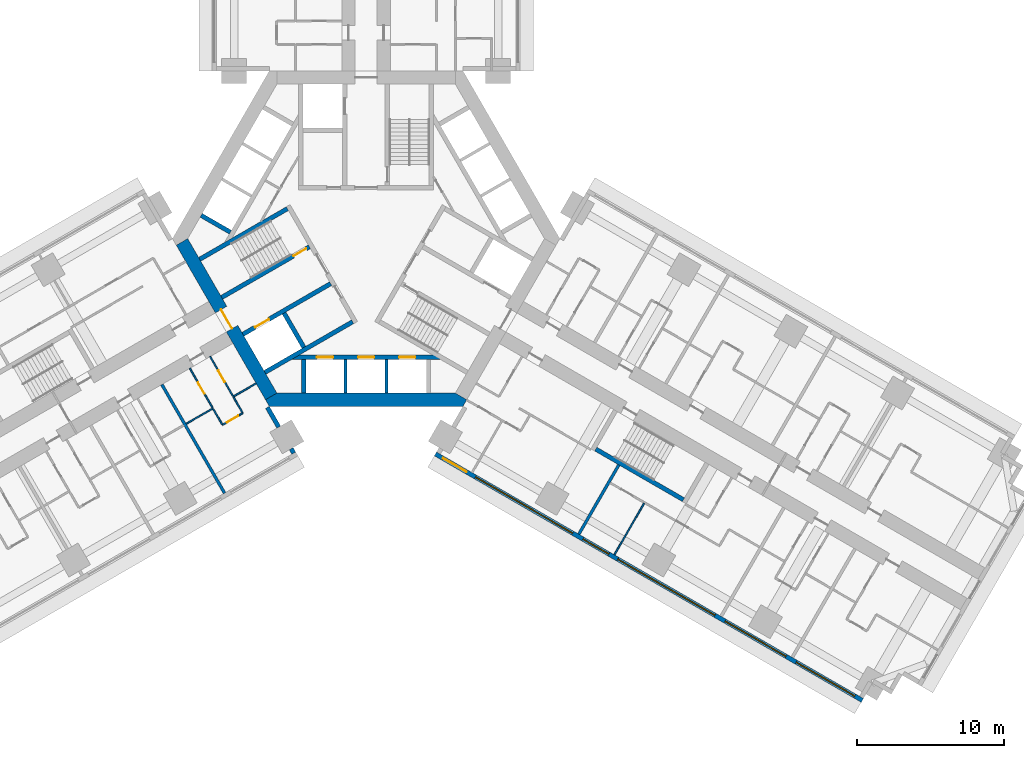
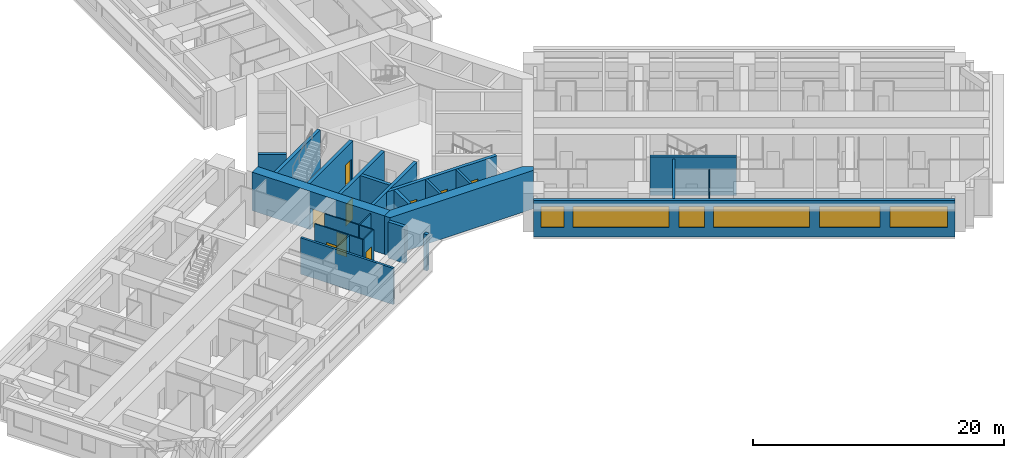
# One storey, part 6 of 17: 26 walls, 9 doors, 6 windows, 15 openings.
"""IFC4 building model written with IfcOpenShell, lengths in metres."""

from ifc_helpers import new_model, si_unit, direction, frame, frame_2d, origin, place, context, subcontext, project, spatial, polyline, rectangle, outline, extrude, material, layer, layer_set, type_object, element, fill, save


model = new_model("IFC4")

# Units and contexts
model_context = context("Model", 3, precision=1e-05, world=origin(), true_north=direction((0.0, 1.0)))
body_context = subcontext(model_context, "Body", "Model", "MODEL_VIEW")
ifc_project = project(units=[si_unit("LENGTHUNIT", "METRE"), si_unit("AREAUNIT", "SQUARE_METRE"), si_unit("VOLUMEUNIT", "CUBIC_METRE"), si_unit("PLANEANGLEUNIT", "RADIAN"), si_unit("MASSUNIT", "GRAM", prefix="KILO")], contexts=[model_context])

# Site, building, storey
site_placement = place(None, origin())
site = spatial("IfcSite", under=ifc_project, at=site_placement, CompositionType="ELEMENT")
building_placement = place(site_placement, origin())
building = spatial("IfcBuilding", under=site, at=building_placement, Name="Impinga Residences", CompositionType="ELEMENT")
storey_placement = place(building_placement, frame((0.0, 0.0, 33.5)))
storey = spatial("IfcBuildingStorey", under=building, at=storey_placement, Name="L07", CompositionType="ELEMENT", Elevation=33.5)

# Wall, openings, windows
ifc_material_1 = material(Name="Terracotta rainscreen on blockwork", Category="masonry")
ifc_layer_1 = layer(ifc_material_1, 0.300048828125)
ifc_layer_set_1 = layer_set([ifc_layer_1], Name="EW1 external wall, terracotta rainscreen on blockwork 300")
wall_type_1 = type_object("IfcWallType", Name="EW1 external wall, terracotta rainscreen on blockwork 300", PredefinedType="SOLIDWALL", material=ifc_layer_set_1)
wall_1_placement = place(storey_placement, frame((33.823486328125, -31.479248046875, 0.0), z_axis=(0.0, 0.0, 1.0), x_axis=(-0.866024291668, 0.500001926238, 0.0)))
wall_1 = element("IfcWall", 1, at=wall_1_placement, inside=storey, type_object=wall_type_1, Name="External wall EW1 L07", PredefinedType="SOLIDWALL", context=body_context, shape_type="SweptSolid", body=[
    extrude(rectangle(XDim=33.599853515625, YDim=0.300048828125, at=frame_2d((16.7998046875, 0.0))), origin(), (0.0, 0.0, 1.0), 3.530029296875),
])
opening_1_placement = place(wall_1_placement, frame((0.60009765625, 0.0, 0.89990234375)))
opening_1 = element("IfcOpeningElement", 2, at=opening_1_placement, cuts=wall_1, Name="Opening W3", PredefinedType="OPENING", context=body_context, shape_type="SweptSolid", body=[
    extrude(rectangle(XDim=4.60009765625, YDim=2.050048828125, at=frame_2d((2.300048828125, 1.02490234375))), frame((0.0, 0.159912109375, 0.0), z_axis=(0.0, -1.0, 0.0), x_axis=(1.0, 0.0, 0.0)), (0.0, 0.0, 1.0), 0.320068359375),
])
opening_2_placement = place(wall_1_placement, frame((6.0, 0.0, 0.89990234375)))
opening_2 = element("IfcOpeningElement", 3, at=opening_2_placement, cuts=wall_1, Name="Opening W8", PredefinedType="OPENING", context=body_context, shape_type="SweptSolid", body=[
    extrude(rectangle(XDim=4.800048828125, YDim=2.050048828125, at=frame_2d((2.39990234375, 1.02490234375))), frame((0.0, 0.159912109375, 0.0), z_axis=(0.0, -1.0, 0.0), x_axis=(1.0, 0.0, 0.0)), (0.0, 0.0, 1.0), 0.320068359375),
])
opening_3_placement = place(wall_1_placement, frame((11.60009765625, 0.0, 0.89990234375)))
opening_3 = element("IfcOpeningElement", 4, at=opening_3_placement, cuts=wall_1, Name="Opening W13", PredefinedType="OPENING", context=body_context, shape_type="SweptSolid", body=[
    extrude(rectangle(XDim=7.64990234375, YDim=2.050048828125, at=frame_2d((3.824951171875, 1.02490234375))), frame((0.0, 0.159912109375, 0.0), z_axis=(0.0, -1.0, 0.0), x_axis=(1.0, 0.0, 0.0)), (0.0, 0.0, 1.0), 0.320068359375),
])
opening_4_placement = place(wall_1_placement, frame((19.949951171875, 0.0, 0.89990234375)))
opening_4 = element("IfcOpeningElement", 5, at=opening_4_placement, cuts=wall_1, Name="Opening W14", PredefinedType="OPENING", context=body_context, shape_type="SweptSolid", body=[
    extrude(rectangle(XDim=2.050048828125, YDim=2.050048828125, at=frame_2d((1.02490234375, 1.02490234375))), frame((0.0, 0.159912109375, 0.0), z_axis=(0.0, -1.0, 0.0), x_axis=(1.0, 0.0, 0.0)), (0.0, 0.0, 1.0), 0.320068359375),
])
opening_5_placement = place(wall_1_placement, frame((22.800048828125, 0.0, 0.89990234375)))
opening_5 = element("IfcOpeningElement", 6, at=opening_5_placement, cuts=wall_1, Name="Opening W13", PredefinedType="OPENING", context=body_context, shape_type="SweptSolid", body=[
    extrude(rectangle(XDim=7.64990234375, YDim=2.050048828125, at=frame_2d((3.824951171875, 1.02490234375))), frame((0.0, 0.159912109375, 0.0), z_axis=(0.0, -1.0, 0.0), x_axis=(1.0, 0.0, 0.0)), (0.0, 0.0, 1.0), 0.320068359375),
])
opening_6_placement = place(wall_1_placement, frame((31.14990234375, 0.0, 0.89990234375)))
opening_6 = element("IfcOpeningElement", 7, at=opening_6_placement, cuts=wall_1, Name="Opening W15", PredefinedType="OPENING", context=body_context, shape_type="SweptSolid", body=[
    extrude(rectangle(XDim=1.85009765625, YDim=2.050048828125, at=frame_2d((0.925048828125, 1.02490234375))), frame((0.0, 0.159912109375, 0.0), z_axis=(0.0, -1.0, 0.0), x_axis=(1.0, 0.0, 0.0)), (0.0, 0.0, 1.0), 0.320068359375),
])
ifc_material_2 = material(Name="Aluminium window, clear double glazing", Category="aluminium")
window_type_1 = type_object("IfcWindowType", Name="W13 ribbon window 7650x2050", PartitioningType="SINGLE_PANEL", PredefinedType="WINDOW", material=ifc_material_2)
window_1_placement = place(opening_3_placement, origin())
window_1 = element("IfcWindow", 8, at=window_1_placement, inside=storey, type_object=window_type_1, Name="Window L07", OverallHeight=2.050048828125, OverallWidth=7.64990234375, PartitioningType="SINGLE_PANEL", PredefinedType="WINDOW", context=body_context, shape_type="SweptSolid", body=[
    extrude(rectangle(XDim=7.64990234375, YDim=2.050048828125, at=frame_2d((3.824951171875, 1.02490234375))), frame((0.0, 0.030029296875, 0.0), z_axis=(0.0, -1.0, 0.0), x_axis=(1.0, 0.0, 0.0)), (0.0, 0.0, 1.0), 0.06005859375),
])
fill(opening_3, window_1)
window_2_placement = place(opening_5_placement, origin())
window_2 = element("IfcWindow", 9, at=window_2_placement, inside=storey, type_object=window_type_1, Name="Window L07", OverallHeight=2.050048828125, OverallWidth=7.64990234375, PartitioningType="SINGLE_PANEL", PredefinedType="WINDOW", context=body_context, shape_type="SweptSolid", body=[
    extrude(rectangle(XDim=7.64990234375, YDim=2.050048828125, at=frame_2d((3.824951171875, 1.02490234375))), frame((0.0, 0.030029296875, 0.0), z_axis=(0.0, -1.0, 0.0), x_axis=(1.0, 0.0, 0.0)), (0.0, 0.0, 1.0), 0.06005859375),
])
fill(opening_5, window_2)
window_type_2 = type_object("IfcWindowType", Name="W14 ribbon window 2050x2050", PartitioningType="SINGLE_PANEL", PredefinedType="WINDOW", material=ifc_material_2)
window_3_placement = place(opening_4_placement, origin())
window_3 = element("IfcWindow", 10, at=window_3_placement, inside=storey, type_object=window_type_2, Name="Window L07", OverallHeight=2.050048828125, OverallWidth=2.050048828125, PartitioningType="SINGLE_PANEL", PredefinedType="WINDOW", context=body_context, shape_type="SweptSolid", body=[
    extrude(rectangle(XDim=2.050048828125, YDim=2.050048828125, at=frame_2d((1.02490234375, 1.02490234375))), frame((0.0, 0.030029296875, 0.0), z_axis=(0.0, -1.0, 0.0), x_axis=(1.0, 0.0, 0.0)), (0.0, 0.0, 1.0), 0.06005859375),
])
fill(opening_4, window_3)
window_type_3 = type_object("IfcWindowType", Name="W15 ribbon window 1850x2050", PartitioningType="SINGLE_PANEL", PredefinedType="WINDOW", material=ifc_material_2)
window_4_placement = place(opening_6_placement, origin())
window_4 = element("IfcWindow", 11, at=window_4_placement, inside=storey, type_object=window_type_3, Name="Window L07", OverallHeight=2.050048828125, OverallWidth=1.85009765625, PartitioningType="SINGLE_PANEL", PredefinedType="WINDOW", context=body_context, shape_type="SweptSolid", body=[
    extrude(rectangle(XDim=1.85009765625, YDim=2.050048828125, at=frame_2d((0.925048828125, 1.02490234375))), frame((0.0, 0.030029296875, 0.0), z_axis=(0.0, -1.0, 0.0), x_axis=(1.0, 0.0, 0.0)), (0.0, 0.0, 1.0), 0.06005859375),
])
fill(opening_6, window_4)
window_type_4 = type_object("IfcWindowType", Name="W3 ribbon window 4600x2050", PartitioningType="SINGLE_PANEL", PredefinedType="WINDOW", material=ifc_material_2)
window_5_placement = place(opening_1_placement, origin())
window_5 = element("IfcWindow", 12, at=window_5_placement, inside=storey, type_object=window_type_4, Name="Window L07", OverallHeight=2.050048828125, OverallWidth=4.60009765625, PartitioningType="SINGLE_PANEL", PredefinedType="WINDOW", context=body_context, shape_type="SweptSolid", body=[
    extrude(rectangle(XDim=4.60009765625, YDim=2.050048828125, at=frame_2d((2.300048828125, 1.02490234375))), frame((0.0, 0.030029296875, 0.0), z_axis=(0.0, -1.0, 0.0), x_axis=(1.0, 0.0, 0.0)), (0.0, 0.0, 1.0), 0.06005859375),
])
fill(opening_1, window_5)
window_type_5 = type_object("IfcWindowType", Name="W8 ribbon window 4800x2050", PartitioningType="SINGLE_PANEL", PredefinedType="WINDOW", material=ifc_material_2)
window_6_placement = place(opening_2_placement, origin())
window_6 = element("IfcWindow", 13, at=window_6_placement, inside=storey, type_object=window_type_5, Name="Window L07", OverallHeight=2.050048828125, OverallWidth=4.800048828125, PartitioningType="SINGLE_PANEL", PredefinedType="WINDOW", context=body_context, shape_type="SweptSolid", body=[
    extrude(rectangle(XDim=4.800048828125, YDim=2.050048828125, at=frame_2d((2.39990234375, 1.02490234375))), frame((0.0, 0.030029296875, 0.0), z_axis=(0.0, -1.0, 0.0), x_axis=(1.0, 0.0, 0.0)), (0.0, 0.0, 1.0), 0.06005859375),
])
fill(opening_2, window_6)

# Walls
wall_2_placement = place(storey_placement, frame((-6.72998046875, -11.506591796875, 0.0), z_axis=(0.0, 0.0, 1.0), x_axis=(0.500086022567, -0.865975732936, 0.0)))
element("IfcWall", 14, at=wall_2_placement, inside=storey, type_object=wall_type_1, Name="External wall EW1 L07", PredefinedType="SOLIDWALL", context=body_context, shape_type="SweptSolid", body=[
    extrude(rectangle(XDim=1.550048828125, YDim=0.300048828125, at=frame_2d((0.77490234375, 0.0))), origin(), (0.0, 0.0, 1.0), 3.530029296875),
])
wall_3_placement = place(storey_placement, frame((-5.10498046875, -14.321044921875, 0.0), z_axis=(0.0, 0.0, 1.0), x_axis=(0.49996389635, -0.866046247233, 0.0)))
element("IfcWall", 15, at=wall_3_placement, inside=storey, type_object=wall_type_1, Name="External wall EW1 L07", PredefinedType="SOLIDWALL", context=body_context, shape_type="SweptSolid", body=[
    extrude(rectangle(XDim=0.35009765625, YDim=0.300048828125, at=frame_2d((0.175048828125, 0.0))), origin(), (0.0, 0.0, 1.0), 3.530029296875),
])
ifc_material_3 = material(Name="Gypsum board on steel studs", Category="steel")
ifc_layer_2 = layer(ifc_material_3, 0.10009765625)
ifc_layer_set_2 = layer_set([ifc_layer_2], Name="Gypsum board on steel studs")
wall_type_2 = type_object("IfcWallType", Name="IP1 partition 100", PredefinedType="PARTITIONING", material=ifc_layer_set_2)
wall_4_placement = place(storey_placement, frame((-7.5, -9.872802734375, 0.0), z_axis=(0.0, 0.0, 1.0), x_axis=(-0.866047807691, -0.499961193289, 0.0)))
element("IfcWall", 16, at=wall_4_placement, inside=storey, type_object=wall_type_2, Name="Partition L07-WA1:DIV0", PredefinedType="PARTITIONING", context=body_context, shape_type="SweptSolid", body=[
    extrude(rectangle(XDim=1.800048828125, YDim=0.10009765625, at=frame_2d((0.89990234375, 0.0))), origin(), (0.0, 0.0, 1.0), 3.530029296875),
])
wall_5_placement = place(storey_placement, frame((-10.444580078125, -11.57275390625, 0.0), z_axis=(0.0, 0.0, 1.0), x_axis=(-0.866009402589, -0.500027713859, 0.0)))
element("IfcWall", 17, at=wall_5_placement, inside=storey, type_object=wall_type_2, Name="Partition L07-WA1:DIV1", PredefinedType="PARTITIONING", context=body_context, shape_type="SweptSolid", body=[
    extrude(rectangle(XDim=2.10009765625, YDim=0.10009765625, at=frame_2d((1.050048828125, 0.0))), origin(), (0.0, 0.0, 1.0), 3.530029296875),
])

# Wall, opening, door
wall_6_placement = place(storey_placement, frame((-8.408935546875, -11.8984375, 0.0), z_axis=(0.0, 0.0, 1.0), x_axis=(-0.865989903783, -0.500061482766, 0.0)))
wall_6 = element("IfcWall", 18, at=wall_6_placement, inside=storey, type_object=wall_type_2, Name="Partition L07-WA1:STRIP", PredefinedType="PARTITIONING", context=body_context, shape_type="SweptSolid", body=[
    extrude(rectangle(XDim=1.599853515625, YDim=0.10009765625, at=frame_2d((0.7998046875, 0.0))), origin(), (0.0, 0.0, 1.0), 3.530029296875),
])
opening_7_placement = place(wall_6_placement, frame((0.35009765625, 0.0, 0.0)))
opening_7 = element("IfcOpeningElement", 19, at=opening_7_placement, cuts=wall_6, Name="Opening D2", PredefinedType="OPENING", context=body_context, shape_type="SweptSolid", body=[
    extrude(rectangle(XDim=0.89990234375, YDim=2.10009765625, at=frame_2d((0.449951171875, 1.050048828125))), frame((0.0, 0.06005859375, 0.0), z_axis=(0.0, -1.0, 0.0), x_axis=(1.0, 0.0, 0.0)), (0.0, 0.0, 1.0), 0.1201171875),
])
ifc_material_4 = material(Name="Timber door set", Category="wood")
door_type_1 = type_object("IfcDoorType", Name="D2 internal door 900x2100", OperationType="SINGLE_SWING_LEFT", PredefinedType="DOOR", material=ifc_material_4)
door_1_placement = place(opening_7_placement, origin())
door_1 = element("IfcDoor", 20, at=door_1_placement, inside=storey, type_object=door_type_1, Name="Apartment L07-WA1 room door", OperationType="SINGLE_SWING_LEFT", OverallHeight=2.10009765625, OverallWidth=0.89990234375, PredefinedType="DOOR", context=body_context, shape_type="SweptSolid", body=[
    extrude(rectangle(XDim=0.89990234375, YDim=2.10009765625, at=frame_2d((0.449951171875, 1.050048828125))), frame((0.0, 0.02490234375, 0.0), z_axis=(0.0, -1.0, 0.0), x_axis=(1.0, 0.0, 0.0)), (0.0, 0.0, 1.0), 0.050048828125),
])
fill(opening_7, door_1)

# Walls
wall_7_placement = place(storey_placement, frame((-9.033935546875, -10.81591796875, 0.0), z_axis=(0.0, 0.0, 1.0), x_axis=(0.500033551112, -0.866006032174, 0.0)))
element("IfcWall", 21, at=wall_7_placement, inside=storey, type_object=wall_type_2, Name="Partition L07-WA1:SE0", PredefinedType="PARTITIONING", context=body_context, shape_type="SweptSolid", body=[
    extrude(rectangle(XDim=1.2001953125, YDim=0.10009765625, at=frame_2d((0.60009765625, 0.0))), origin(), (0.0, 0.0, 1.0), 3.530029296875),
])
wall_8_placement = place(storey_placement, frame((-10.41943359375, -11.615966796875, 0.0), z_axis=(0.0, 0.0, 1.0), x_axis=(0.499880961361, -0.866094119867, 0.0)))
element("IfcWall", 22, at=wall_8_placement, inside=storey, type_object=wall_type_2, Name="Partition L07-WA1:SE1", PredefinedType="PARTITIONING", context=body_context, shape_type="SweptSolid", body=[
    extrude(rectangle(XDim=1.199951171875, YDim=0.10009765625, at=frame_2d((0.60009765625, 0.0))), origin(), (0.0, 0.0, 1.0), 3.530029296875),
])

# Wall, opening, door
wall_9_placement = place(storey_placement, frame((-10.6337890625, -8.044677734375, 0.0), z_axis=(0.0, 0.0, 1.0), x_axis=(0.49999285859, -0.86602952684, 0.0)))
wall_9 = element("IfcWall", 23, at=wall_9_placement, inside=storey, type_object=wall_type_2, Name="Partition L07-WA1:IB1", PredefinedType="PARTITIONING", context=body_context, shape_type="SweptSolid", body=[
    extrude(rectangle(XDim=3.10009765625, YDim=0.10009765625, at=frame_2d((1.550048828125, 0.0))), origin(), (0.0, 0.0, 1.0), 3.530029296875),
])
opening_8_placement = place(wall_9_placement, frame((1.10009765625, 0.0, 0.0)))
opening_8 = element("IfcOpeningElement", 24, at=opening_8_placement, cuts=wall_9, Name="Opening D2", PredefinedType="OPENING", context=body_context, shape_type="SweptSolid", body=[
    extrude(rectangle(XDim=0.89990234375, YDim=2.10009765625, at=frame_2d((0.449951171875, 1.050048828125))), frame((0.0, 0.06005859375, 0.0), z_axis=(0.0, -1.0, 0.0), x_axis=(1.0, 0.0, 0.0)), (0.0, 0.0, 1.0), 0.1201171875),
])
door_2_placement = place(opening_8_placement, origin())
door_2 = element("IfcDoor", 25, at=door_2_placement, inside=storey, type_object=door_type_1, Name="Apartment L07-WA1 bathroom door", OperationType="SINGLE_SWING_LEFT", OverallHeight=2.10009765625, OverallWidth=0.89990234375, PredefinedType="DOOR", context=body_context, shape_type="SweptSolid", body=[
    extrude(rectangle(XDim=0.89990234375, YDim=2.10009765625, at=frame_2d((0.449951171875, 1.050048828125))), frame((0.0, 0.02490234375, 0.0), z_axis=(0.0, -1.0, 0.0), x_axis=(1.0, 0.0, 0.0)), (0.0, 0.0, 1.0), 0.050048828125),
])
fill(opening_8, door_2)

wall_10_placement = place(storey_placement, frame((-12.01953125, -8.8447265625, 0.0), z_axis=(0.0, 0.0, 1.0), x_axis=(0.500026960575, -0.86600983753, 0.0)))
wall_10 = element("IfcWall", 26, at=wall_10_placement, inside=storey, type_object=wall_type_2, Name="Partition L07-WA1:IB2", PredefinedType="PARTITIONING", context=body_context, shape_type="SweptSolid", body=[
    extrude(rectangle(XDim=3.099853515625, YDim=0.10009765625, at=frame_2d((1.5498046875, 0.0))), origin(), (0.0, 0.0, 1.0), 3.530029296875),
])
opening_9_placement = place(wall_10_placement, frame((1.10009765625, 0.0, 0.0)))
opening_9 = element("IfcOpeningElement", 27, at=opening_9_placement, cuts=wall_10, Name="Opening D2", PredefinedType="OPENING", context=body_context, shape_type="SweptSolid", body=[
    extrude(rectangle(XDim=0.89990234375, YDim=2.10009765625, at=frame_2d((0.449951171875, 1.050048828125))), frame((0.0, 0.06005859375, 0.0), z_axis=(0.0, -1.0, 0.0), x_axis=(1.0, 0.0, 0.0)), (0.0, 0.0, 1.0), 0.1201171875),
])
door_3_placement = place(opening_9_placement, origin())
door_3 = element("IfcDoor", 28, at=door_3_placement, inside=storey, type_object=door_type_1, Name="Apartment L07-WA1 WC door", OperationType="SINGLE_SWING_LEFT", OverallHeight=2.10009765625, OverallWidth=0.89990234375, PredefinedType="DOOR", context=body_context, shape_type="SweptSolid", body=[
    extrude(rectangle(XDim=0.89990234375, YDim=2.10009765625, at=frame_2d((0.449951171875, 1.050048828125))), frame((0.0, 0.02490234375, 0.0), z_axis=(0.0, -1.0, 0.0), x_axis=(1.0, 0.0, 0.0)), (0.0, 0.0, 1.0), 0.050048828125),
])
fill(opening_9, door_3)

# Walls
wall_11_placement = place(storey_placement, frame((18.949462890625, -18.041748046875, 0.0), z_axis=(0.0, 0.0, 1.0), x_axis=(-0.50000943426, -0.866019956843, 0.0)))
element("IfcWall", 29, at=wall_11_placement, inside=storey, type_object=wall_type_2, Name="Partition L07-EF2:OB1", PredefinedType="PARTITIONING", context=body_context, shape_type="SweptSolid", body=[
    extrude(rectangle(XDim=4.05029296875, YDim=0.10009765625, at=frame_2d((2.025146484375, 0.0))), origin(), (0.0, 0.0, 1.0), 3.530029296875),
])
ifc_material_5 = material(Name="Concrete blockwork", Category="masonry")
ifc_layer_3 = layer(ifc_material_5, 0.199951171875)
ifc_layer_set_3 = layer_set([ifc_layer_3], Name="PW1 party wall between apartments 200")
wall_type_3 = type_object("IfcWallType", Name="PW1 party wall between apartments 200", PredefinedType="SOLIDWALL", material=ifc_layer_set_3)
wall_12_placement = place(storey_placement, frame((-13.9248046875, -9.94482421875, 0.0), z_axis=(0.0, 0.0, 1.0), x_axis=(0.500024008071, -0.866011542275, 0.0)))
element("IfcWall", 30, at=wall_12_placement, inside=storey, type_object=wall_type_3, Name="Party wall between apartments L07-WA1:PARTY", PredefinedType="SOLIDWALL", context=body_context, shape_type="SweptSolid", body=[
    extrude(rectangle(XDim=8.5498046875, YDim=0.199951171875, at=frame_2d((4.27490234375, 0.0))), origin(), (0.0, 0.0, 1.0), 3.530029296875),
])
wall_13_placement = place(storey_placement, frame((17.224365234375, -15.429443359375, 0.0), z_axis=(0.0, 0.0, 1.0), x_axis=(-0.499988730927, -0.866031909889, 0.0)))
element("IfcWall", 31, at=wall_13_placement, inside=storey, type_object=wall_type_3, Name="Party wall between apartments L07-EF1:PARTY", PredefinedType="SOLIDWALL", context=body_context, shape_type="SweptSolid", body=[
    extrude(rectangle(XDim=5.449951171875, YDim=0.199951171875, at=frame_2d((2.72509765625, 0.0))), origin(), (0.0, 0.0, 1.0), 3.530029296875),
])
ifc_material_6 = material(Name="Concrete C60/75", Category="concrete")
ifc_layer_4 = layer(ifc_material_6, 0.300048828125)
ifc_layer_set_4 = layer_set([ifc_layer_4], Name="Concrete C60/75")
wall_type_4 = type_object("IfcWallType", Name="SE1 wing stair enclosure wall 300", PredefinedType="SOLIDWALL", material=ifc_layer_set_4)
wall_14_placement = place(storey_placement, frame((15.654052734375, -14.349365234375, 0.0), z_axis=(0.0, 0.0, 1.0), x_axis=(0.866013532718, -0.500020560727, 0.0)))
element("IfcWall", 32, at=wall_14_placement, inside=storey, type_object=wall_type_4, Name="Stair enclosure wall SE1 E OUT L07", PredefinedType="SOLIDWALL", context=body_context, shape_type="SweptSolid", body=[
    extrude(rectangle(XDim=6.900146484375, YDim=0.300048828125, at=frame_2d((3.4501953125, 0.0))), origin(), (0.0, 0.0, 1.0), 3.75),
])

# Wall, opening, door
ifc_material_7 = material(Name="Concrete C70/85", Category="concrete")
ifc_layer_5 = layer(ifc_material_7, 0.89990234375)
ifc_layer_set_5 = layer_set([ifc_layer_5], Name="Concrete C70/85")
wall_type_5 = type_object("IfcWallType", Name="SW1 core wall 900", PredefinedType="SHEAR", material=ifc_layer_set_5)
wall_15_placement = place(storey_placement, frame((-6.47021484375, -10.756591796875, 0.0), z_axis=(0.0, 0.0, 1.0), x_axis=(-0.499997612506, 0.8660267822, 0.0)))
wall_15 = element("IfcWall", 33, at=wall_15_placement, inside=storey, type_object=wall_type_5, Name="Core wall SW1 W:FACE L07", PredefinedType="SHEAR", context=body_context, shape_type="SweptSolid", body=[
    extrude(rectangle(XDim=12.16064453125, YDim=0.89990234375, at=frame_2d((6.080322265625, 0.0))), origin(), (0.0, 0.0, 1.0), 3.75),
])
opening_10_placement = place(wall_15_placement, frame((5.330322265625, 0.0, 0.0)))
opening_10 = element("IfcOpeningElement", 34, at=opening_10_placement, cuts=wall_15, Name="Opening D4", PredefinedType="OPENING", context=body_context, shape_type="SweptSolid", body=[
    extrude(rectangle(XDim=1.5, YDim=2.10009765625, at=frame_2d((0.75, 1.050048828125))), frame((0.0, 0.4599609375, 0.0), z_axis=(0.0, -1.0, 0.0), x_axis=(1.0, 0.0, 0.0)), (0.0, 0.0, 1.0), 0.919921875),
])
door_type_2 = type_object("IfcDoorType", Name="D4 lobby door pair 1500x2100", OperationType="DOUBLE_DOOR_DOUBLE_SWING", PredefinedType="DOOR", material=ifc_material_4)
door_4_placement = place(opening_10_placement, origin())
door_4 = element("IfcDoor", 35, at=door_4_placement, inside=storey, type_object=door_type_2, Name="Lobby door W", OperationType="DOUBLE_DOOR_DOUBLE_SWING", OverallHeight=2.10009765625, OverallWidth=1.5, PredefinedType="DOOR", context=body_context, shape_type="SweptSolid", body=[
    extrude(rectangle(XDim=1.5, YDim=2.10009765625, at=frame_2d((0.75, 1.050048828125))), frame((0.0, 0.02490234375, 0.0), z_axis=(0.0, -1.0, 0.0), x_axis=(1.0, 0.0, 0.0)), (0.0, 0.0, 1.0), 0.050048828125),
])
fill(opening_10, door_4)

# Wall
wall_16_placement = place(storey_placement, origin())
element("IfcWall", 36, at=wall_16_placement, inside=storey, type_object=wall_type_5, Name="Core wall SW1 N:EXPOSED L07", PredefinedType="SHEAR", context=body_context, shape_type="SweptSolid", body=[
    extrude(outline(polyline([(-6.60009765625, -11.431640625), (6.60009765625, -11.431640625), (6.85986328125, -10.9814453125), (6.080322265625, -10.531494140625), (-6.080322265625, -10.531494140625), (-6.85986328125, -10.9814453125), (-6.60009765625, -11.431640625)])), origin(), (0.0, 0.0, 1.0), 3.75),
])

# Wall, opening, door
ifc_layer_6 = layer(ifc_material_7, 0.300048828125)
ifc_layer_set_6 = layer_set([ifc_layer_6], Name="Concrete C70/85")
wall_type_6 = type_object("IfcWallType", Name="SW5 core inner wall, stairs, shafts and lobbies 300", PredefinedType="SHEAR", material=ifc_layer_set_6)
wall_17_placement = place(storey_placement, frame((-3.86865234375, -0.559326171875, 0.0), z_axis=(0.0, 0.0, 1.0), x_axis=(-0.86602711848, -0.499997030048, 0.0)))
wall_17 = element("IfcWall", 37, at=wall_17_placement, inside=storey, type_object=wall_type_6, Name="Core wall SW5 W:ST-IN L07", PredefinedType="SHEAR", context=body_context, shape_type="SweptSolid", body=[
    extrude(rectangle(XDim=6.9013671875, YDim=0.300048828125, at=frame_2d((3.45068359375, 0.0))), origin(), (0.0, 0.0, 1.0), 3.75),
])
opening_11_placement = place(wall_17_placement, frame((0.25, 0.0, 0.0)))
opening_11 = element("IfcOpeningElement", 38, at=opening_11_placement, cuts=wall_17, Name="Opening D5", PredefinedType="OPENING", context=body_context, shape_type="SweptSolid", body=[
    extrude(rectangle(XDim=1.0, YDim=2.10009765625, at=frame_2d((0.5, 1.050048828125))), frame((0.0, 0.159912109375, 0.0), z_axis=(0.0, -1.0, 0.0), x_axis=(1.0, 0.0, 0.0)), (0.0, 0.0, 1.0), 0.320068359375),
])
door_type_3 = type_object("IfcDoorType", Name="D5 stair door 1000x2100", OperationType="SINGLE_SWING_LEFT", PredefinedType="DOOR", material=ifc_material_4)
door_5_placement = place(opening_11_placement, origin())
door_5 = element("IfcDoor", 39, at=door_5_placement, inside=storey, type_object=door_type_3, Name="Stair door W", OperationType="SINGLE_SWING_LEFT", OverallHeight=2.10009765625, OverallWidth=1.0, PredefinedType="DOOR", context=body_context, shape_type="SweptSolid", body=[
    extrude(rectangle(XDim=1.0, YDim=2.10009765625, at=frame_2d((0.5, 1.050048828125))), frame((0.0, 0.02490234375, 0.0), z_axis=(0.0, -1.0, 0.0), x_axis=(1.0, 0.0, 0.0)), (0.0, 0.0, 1.0), 0.050048828125),
])
fill(opening_11, door_5)

# Wall
wall_18_placement = place(storey_placement, frame((-5.36865234375, 2.038818359375, 0.0), z_axis=(0.0, 0.0, 1.0), x_axis=(-0.86602711848, -0.499997030048, 0.0)))
element("IfcWall", 40, at=wall_18_placement, inside=storey, type_object=wall_type_6, Name="Core wall SW5 W:ST-OUT L07", PredefinedType="SHEAR", context=body_context, shape_type="SweptSolid", body=[
    extrude(rectangle(XDim=6.9013671875, YDim=0.300048828125, at=frame_2d((3.45068359375, 0.0))), origin(), (0.0, 0.0, 1.0), 3.75),
])

# Wall, opening, door
wall_19_placement = place(storey_placement, frame((-2.418701171875, -3.07080078125, 0.0), z_axis=(0.0, 0.0, 1.0), x_axis=(-0.86602711848, -0.499997030048, 0.0)))
wall_19 = element("IfcWall", 41, at=wall_19_placement, inside=storey, type_object=wall_type_6, Name="Core wall SW5 W:FF-IN L07", PredefinedType="SHEAR", context=body_context, shape_type="SweptSolid", body=[
    extrude(rectangle(XDim=6.9013671875, YDim=0.300048828125, at=frame_2d((3.45068359375, 0.0))), origin(), (0.0, 0.0, 1.0), 3.75),
])
opening_12_placement = place(wall_19_placement, frame((4.85009765625, 0.0, 0.0)))
opening_12 = element("IfcOpeningElement", 42, at=opening_12_placement, cuts=wall_19, Name="Opening LD2", PredefinedType="OPENING", context=body_context, shape_type="SweptSolid", body=[
    extrude(rectangle(XDim=1.10009765625, YDim=2.10009765625, at=frame_2d((0.550048828125, 1.050048828125))), frame((0.0, 0.159912109375, 0.0), z_axis=(0.0, -1.0, 0.0), x_axis=(1.0, 0.0, 0.0)), (0.0, 0.0, 1.0), 0.320068359375),
])
ifc_material_8 = material(Name="Steel lift landing door", Category="steel")
door_type_4 = type_object("IfcDoorType", Name="LD2 firefighting lift landing door 1100x2100", OperationType="DOUBLE_DOOR_SLIDING", PredefinedType="DOOR", material=ifc_material_8)
door_6_placement = place(opening_12_placement, origin())
door_6 = element("IfcDoor", 43, at=door_6_placement, inside=storey, type_object=door_type_4, Name="Firefighting lift landing door F2", OperationType="DOUBLE_DOOR_SLIDING", OverallHeight=2.10009765625, OverallWidth=1.10009765625, PredefinedType="DOOR", context=body_context, shape_type="SweptSolid", body=[
    extrude(rectangle(XDim=1.10009765625, YDim=2.10009765625, at=frame_2d((0.550048828125, 1.050048828125))), frame((0.0, 0.02490234375, 0.0), z_axis=(0.0, -1.0, 0.0), x_axis=(1.0, 0.0, 0.0)), (0.0, 0.0, 1.0), 0.050048828125),
])
fill(opening_12, door_6)

# Walls
wall_20_placement = place(storey_placement, frame((-0.918701171875, -5.668701171875, 0.0), z_axis=(0.0, 0.0, 1.0), x_axis=(-0.866011800373, -0.500023561059, 0.0)))
element("IfcWall", 44, at=wall_20_placement, inside=storey, type_object=wall_type_6, Name="Core wall SW5 W:FF-OUT L07", PredefinedType="SHEAR", context=body_context, shape_type="SweptSolid", body=[
    extrude(rectangle(XDim=6.901611328125, YDim=0.300048828125, at=frame_2d((3.45068359375, 0.0))), origin(), (0.0, 0.0, 1.0), 3.75),
])
wall_21_placement = place(storey_placement, frame((-4.2412109375, -7.413818359375, 0.0), z_axis=(0.0, 0.0, 1.0), x_axis=(-0.500048589285, 0.86599734893, 0.0)))
element("IfcWall", 45, at=wall_21_placement, inside=storey, type_object=wall_type_6, Name="Core wall SW5 W:FF-RS L07", PredefinedType="SHEAR", context=body_context, shape_type="SweptSolid", body=[
    extrude(rectangle(XDim=2.699951171875, YDim=0.300048828125, at=frame_2d((1.35009765625, 0.0))), origin(), (0.0, 0.0, 1.0), 3.75),
])

# Wall, openings, doors
wall_22_placement = place(storey_placement, frame((5.09765625, -8.08154296875, 0.0), z_axis=(0.0, 0.0, 1.0), x_axis=(-1.0, 0.0, 0.0)))
wall_22 = element("IfcWall", 46, at=wall_22_placement, inside=storey, type_object=wall_type_6, Name="Core wall SW5 N:BANK-FRONT L07", PredefinedType="SHEAR", context=body_context, shape_type="SweptSolid", body=[
    extrude(rectangle(XDim=10.1953125, YDim=0.300048828125, at=frame_2d((5.09765625, 0.0))), origin(), (0.0, 0.0, 1.0), 3.75),
])
opening_13_placement = place(wall_22_placement, frame((1.74755859375, 0.0, 0.0)))
opening_13 = element("IfcOpeningElement", 47, at=opening_13_placement, cuts=wall_22, Name="Opening LD1", PredefinedType="OPENING", context=body_context, shape_type="SweptSolid", body=[
    extrude(rectangle(XDim=1.10009765625, YDim=2.10009765625, at=frame_2d((0.550048828125, 1.050048828125))), frame((0.0, 0.159912109375, 0.0), z_axis=(0.0, -1.0, 0.0), x_axis=(1.0, 0.0, 0.0)), (0.0, 0.0, 1.0), 0.320068359375),
])
opening_14_placement = place(wall_22_placement, frame((4.547607421875, 0.0, 0.0)))
opening_14 = element("IfcOpeningElement", 48, at=opening_14_placement, cuts=wall_22, Name="Opening LD1", PredefinedType="OPENING", context=body_context, shape_type="SweptSolid", body=[
    extrude(rectangle(XDim=1.10009765625, YDim=2.10009765625, at=frame_2d((0.550048828125, 1.050048828125))), frame((0.0, 0.159912109375, 0.0), z_axis=(0.0, -1.0, 0.0), x_axis=(1.0, 0.0, 0.0)), (0.0, 0.0, 1.0), 0.320068359375),
])
opening_15_placement = place(wall_22_placement, frame((7.34765625, 0.0, 0.0)))
opening_15 = element("IfcOpeningElement", 49, at=opening_15_placement, cuts=wall_22, Name="Opening LD1", PredefinedType="OPENING", context=body_context, shape_type="SweptSolid", body=[
    extrude(rectangle(XDim=1.10009765625, YDim=2.10009765625, at=frame_2d((0.550048828125, 1.050048828125))), frame((0.0, 0.159912109375, 0.0), z_axis=(0.0, -1.0, 0.0), x_axis=(1.0, 0.0, 0.0)), (0.0, 0.0, 1.0), 0.320068359375),
])
door_type_5 = type_object("IfcDoorType", Name="LD1 passenger lift landing door 1100x2100", OperationType="DOUBLE_DOOR_SLIDING", PredefinedType="DOOR", material=ifc_material_8)
door_7_placement = place(opening_13_placement, origin())
door_7 = element("IfcDoor", 50, at=door_7_placement, inside=storey, type_object=door_type_5, Name="Lift landing door P1", OperationType="DOUBLE_DOOR_SLIDING", OverallHeight=2.10009765625, OverallWidth=1.10009765625, PredefinedType="DOOR", context=body_context, shape_type="SweptSolid", body=[
    extrude(rectangle(XDim=1.10009765625, YDim=2.10009765625, at=frame_2d((0.550048828125, 1.050048828125))), frame((0.0, 0.02490234375, 0.0), z_axis=(0.0, -1.0, 0.0), x_axis=(1.0, 0.0, 0.0)), (0.0, 0.0, 1.0), 0.050048828125),
])
fill(opening_13, door_7)
door_8_placement = place(opening_14_placement, origin())
door_8 = element("IfcDoor", 51, at=door_8_placement, inside=storey, type_object=door_type_5, Name="Lift landing door P2", OperationType="DOUBLE_DOOR_SLIDING", OverallHeight=2.10009765625, OverallWidth=1.10009765625, PredefinedType="DOOR", context=body_context, shape_type="SweptSolid", body=[
    extrude(rectangle(XDim=1.10009765625, YDim=2.10009765625, at=frame_2d((0.550048828125, 1.050048828125))), frame((0.0, 0.02490234375, 0.0), z_axis=(0.0, -1.0, 0.0), x_axis=(1.0, 0.0, 0.0)), (0.0, 0.0, 1.0), 0.050048828125),
])
fill(opening_14, door_8)
door_9_placement = place(opening_15_placement, origin())
door_9 = element("IfcDoor", 52, at=door_9_placement, inside=storey, type_object=door_type_5, Name="Lift landing door P3", OperationType="DOUBLE_DOOR_SLIDING", OverallHeight=2.10009765625, OverallWidth=1.10009765625, PredefinedType="DOOR", context=body_context, shape_type="SweptSolid", body=[
    extrude(rectangle(XDim=1.10009765625, YDim=2.10009765625, at=frame_2d((0.550048828125, 1.050048828125))), frame((0.0, 0.02490234375, 0.0), z_axis=(0.0, -1.0, 0.0), x_axis=(1.0, 0.0, 0.0)), (0.0, 0.0, 1.0), 0.050048828125),
])
fill(opening_15, door_9)

# Walls
for number, where, z_axis, x_axis, name in (
    (53, (-4.25, -8.2314453125, 0.0), (0.0, 0.0, 1.0), (0.0, -1.0, 0.0), "Core wall SW5 N:BANK-R L07"),
    (54, (-9.253662109375, 0.43505859375, 0.0), (0.0, 0.0, 1.0), (-0.866007057882, 0.500031774688, 0.0), "Core wall SW5 E:BANK-L L07"),
):
    element("IfcWall", number, at=place(storey_placement, frame(where, z_axis=z_axis, x_axis=x_axis)), inside=storey, type_object=wall_type_6, Name=name, PredefinedType="SHEAR", context=body_context, shape_type="SweptSolid", body=[
        extrude(rectangle(XDim=2.300048828125, YDim=0.300048828125, at=frame_2d((1.14990234375, 0.0))), origin(), (0.0, 0.0, 1.0), 3.75),
    ])
ifc_layer_7 = layer(ifc_material_7, 0.199951171875)
ifc_layer_set_7 = layer_set([ifc_layer_7], Name="Concrete C70/85")
wall_type_7 = type_object("IfcWallType", Name="SW6 lift shaft divider wall 200", PredefinedType="SHEAR", material=ifc_layer_set_7)
for number, where, z_axis, x_axis, name in (
    (55, (1.39990234375, -8.2314453125, 0.0), (0.0, 0.0, 1.0), (0.0, -1.0, 0.0), "Core wall SW6 N:BANK-D1 L07"),
    (56, (-1.39990234375, -8.2314453125, 0.0), (0.0, 0.0, 1.0), (0.0, -1.0, 0.0), "Core wall SW6 N:BANK-D2 L07"),
):
    element("IfcWall", number, at=place(storey_placement, frame(where, z_axis=z_axis, x_axis=x_axis)), inside=storey, type_object=wall_type_7, Name=name, PredefinedType="SHEAR", context=body_context, shape_type="SweptSolid", body=[
        extrude(rectangle(XDim=2.300048828125, YDim=0.199951171875, at=frame_2d((1.14990234375, 0.0))), origin(), (0.0, 0.0, 1.0), 3.75),
    ])

save(model, "model.ifc")
